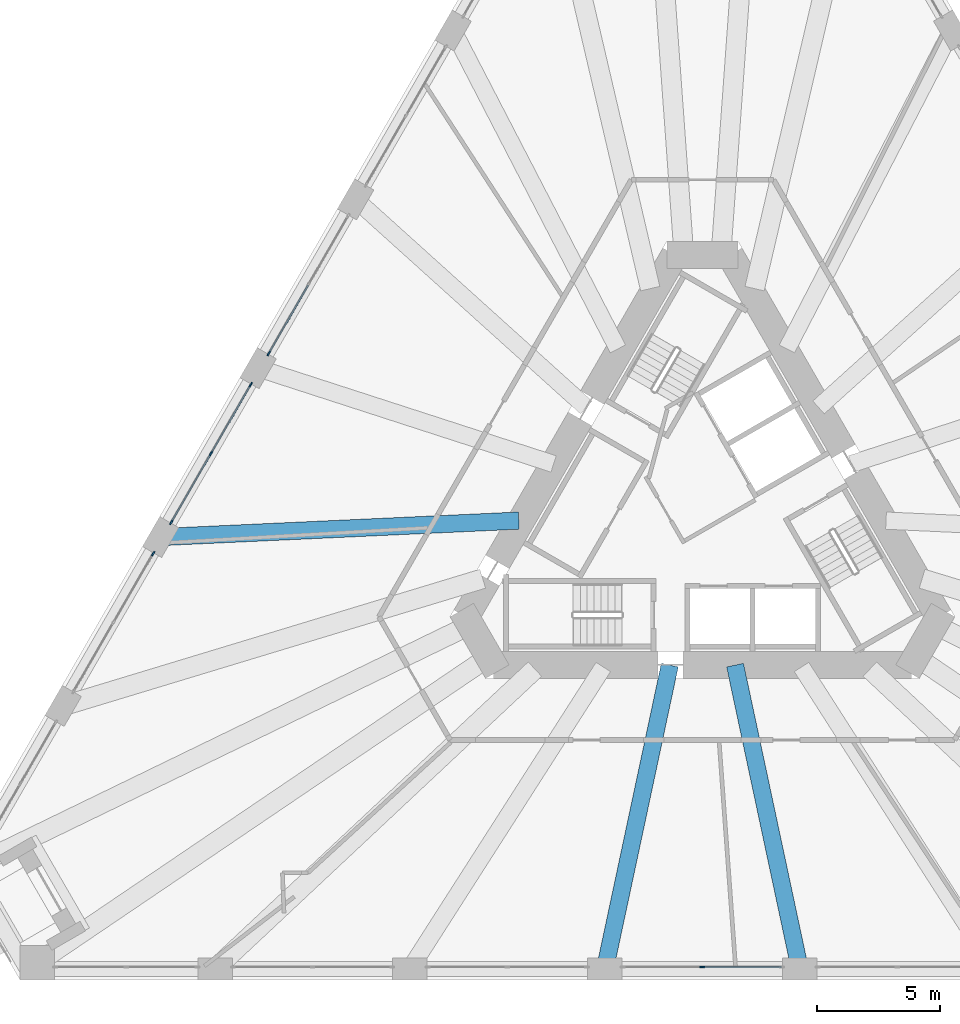
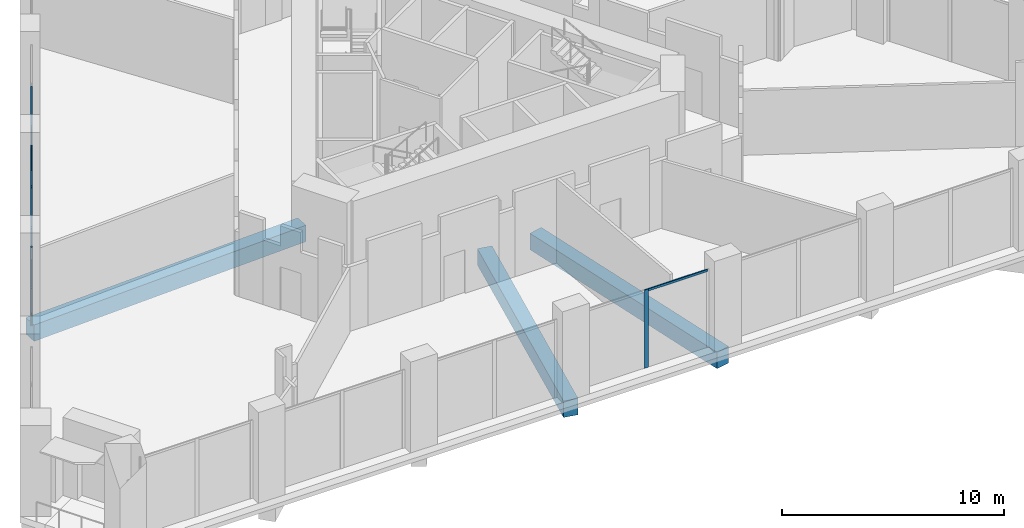
# One storey, part 4 of 20: 10 members, 3 beams, 4 elements without a shape of their own.
"""IFC4 building model written with IfcOpenShell, lengths in metres."""

import ifcopenshell
import ifcopenshell.guid

model = None  # the IFC model being written
_history = None  # IfcOwnerHistory: only IFC2X3 demands one
_inside = {}  # id of a spatial element -> (the spatial element, [elements in it])
_under = {}  # id of a project, library or spatial element -> (it, [spatial elements below it])
_declared = {}  # id of a project -> (the project, [libraries it declares])
_typed = {}  # id of a type object -> (the type object, [elements of that type])
_made_of = {}  # id of a material, layer set ... -> (it, [elements and type objects made of it])


def new_model(schema):
    """Start an empty IFC model of exactly this schema.

    Asked for "IFC4X3", IfcOpenShell would pick the latest addendum, in which some entities
    have other attributes; the version numbers below select the first issue.
    IFC2X3 requires an IfcOwnerHistory on every rooted entity: one is made here for all.
    """
    global model, _history
    if schema == "IFC4X3":
        model = ifcopenshell.file(schema_version=(4, 3, 0, 0))
    else:
        model = ifcopenshell.file(schema=schema)
    _inside.clear()
    _under.clear()
    _declared.clear()
    _typed.clear()
    _made_of.clear()
    _history = None
    if model.schema == "IFC2X3":
        org = make("IfcOrganization", Name="unknown")
        user = make(
            "IfcPersonAndOrganization",
            ThePerson=make("IfcPerson", FamilyName="unknown"),
            TheOrganization=org,
        )
        app = make(
            "IfcApplication",
            ApplicationDeveloper=org,
            Version="unknown",
            ApplicationFullName="unknown",
            ApplicationIdentifier="unknown",
        )
        _history = make(
            "IfcOwnerHistory",
            OwningUser=user,
            OwningApplication=app,
            ChangeAction="ADDED",
            CreationDate=0,
        )
    return model


def make(cls, **values):
    """One entity of the class cls with the attributes given. An attribute that is None is left unset."""
    return model.create_entity(
        cls, **{name: value for name, value in values.items() if value is not None}
    )


def rooted(cls, **values):
    """An entity with a GlobalId (a new one), such as an element, a storey or a relation."""
    return make(cls, GlobalId=ifcopenshell.guid.new(), OwnerHistory=_history, **values)


def si_unit(unit_type, name, prefix=None):
    """IfcSIUnit, for example si_unit("LENGTHUNIT", "METRE", prefix="MILLI")."""
    return make("IfcSIUnit", UnitType=unit_type, Prefix=prefix, Name=name)


def assignment(units):
    """IfcUnitAssignment: the units of a project."""
    return None if units is None else make("IfcUnitAssignment", Units=units)


def point(xyz):
    """IfcCartesianPoint."""
    return None if xyz is None else make("IfcCartesianPoint", Coordinates=xyz)


def direction(xyz):
    """IfcDirection."""
    return None if xyz is None else make("IfcDirection", DirectionRatios=xyz)


def frame(location, z_axis=None, x_axis=None):
    """IfcAxis2Placement3D, a coordinate frame: its origin and axes. An axis left out is left unset."""
    return make(
        "IfcAxis2Placement3D",
        Location=point(location),
        Axis=direction(z_axis),
        RefDirection=direction(x_axis),
    )


def frame_2d(location, x_axis=None):
    """IfcAxis2Placement2D, a coordinate frame in the plane: its origin and x axis."""
    return make(
        "IfcAxis2Placement2D", Location=point(location), RefDirection=direction(x_axis)
    )


def origin():
    """The frame at (0, 0, 0) with its axes left unset."""
    return frame((0.0, 0.0, 0.0))


def origin_2d():
    """The frame at (0, 0) in the plane with its x axis left unset."""
    return frame_2d((0.0, 0.0))


def place(relative_to, where):
    """IfcLocalPlacement: puts the frame where relative to a parent placement (None: the world)."""
    return make(
        "IfcLocalPlacement", PlacementRelTo=relative_to, RelativePlacement=where
    )


def context(
    kind, dimensions, precision=None, world=None, true_north=None, identifier=None
):
    """IfcGeometricRepresentationContext, for example the 3D "Model" context."""
    return make(
        "IfcGeometricRepresentationContext",
        ContextIdentifier=identifier,
        ContextType=kind,
        CoordinateSpaceDimension=dimensions,
        Precision=precision,
        WorldCoordinateSystem=world,
        TrueNorth=true_north,
    )


def subcontext(parent, identifier, kind, view, scale=None):
    """IfcGeometricRepresentationSubContext, for example "Body" below "Model"."""
    return make(
        "IfcGeometricRepresentationSubContext",
        ContextIdentifier=identifier,
        ContextType=kind,
        ParentContext=parent,
        TargetScale=scale,
        TargetView=view,
    )


def project(units=None, contexts=None):
    """IfcProject with its units and contexts."""
    return rooted(
        "IfcProject",
        Name="project",
        RepresentationContexts=contexts,
        UnitsInContext=assignment(units),
    )


def spatial(cls, under=None, at=None, **own):
    """A site, building, storey or space (cls), placed at a placement, below another one or the project."""
    s = rooted(cls, ObjectPlacement=at, **own)
    if under is not None:
        _under.setdefault(under.id(), (under, []))[1].append(s)
    return s


def profile(cls, at=None, kind="AREA", **sizes):
    """A parametric profile (cls). Its sizes go by their IFC names, for example OverallWidth=200.0."""
    return make(cls, ProfileType=kind, Position=at, **sizes)


def rectangle(**sizes):
    """IfcRectangleProfileDef."""
    return profile("IfcRectangleProfileDef", **sizes)


def extrude(swept, where, along, depth):
    """IfcExtrudedAreaSolid: the profile swept, set in the frame where, extruded along a direction by depth."""
    return make(
        "IfcExtrudedAreaSolid",
        SweptArea=swept,
        Position=where,
        ExtrudedDirection=direction(along),
        Depth=depth,
    )


def shape(context_of_items, identifier, shape_type, items):
    """IfcShapeRepresentation: the items that make up one representation, for example the "Body"."""
    return make(
        "IfcShapeRepresentation",
        ContextOfItems=context_of_items,
        RepresentationIdentifier=identifier,
        RepresentationType=shape_type,
        Items=items,
    )


def material(Name=None, Category=None):
    """IfcMaterial."""
    return make("IfcMaterial", Name=Name, Category=Category)


def layer(
    of_material, thickness, ventilated=None, Name=None, Category=None, Priority=None
):
    """IfcMaterialLayer: one layer of a wall or slab, of a material (None: an air gap)."""
    return make(
        "IfcMaterialLayer",
        Material=of_material,
        LayerThickness=thickness,
        IsVentilated=ventilated,
        Name=Name,
        Category=Category,
        Priority=Priority,
    )


def layer_set(layers, Name=None):
    """IfcMaterialLayerSet."""
    return make("IfcMaterialLayerSet", MaterialLayers=layers, LayerSetName=Name)


def material_profile(
    of_material, cross_section, Name=None, Category=None, Priority=None
):
    """IfcMaterialProfile: a cross section and its material."""
    return make(
        "IfcMaterialProfile",
        Name=Name,
        Material=of_material,
        Profile=cross_section,
        Priority=Priority,
        Category=Category,
    )


def profile_set(profiles, Name=None, composite=None):
    """IfcMaterialProfileSet."""
    return make(
        "IfcMaterialProfileSet",
        Name=Name,
        MaterialProfiles=profiles,
        CompositeProfile=composite,
    )


def made_of(thing, what):
    """Note that an element or type object is made of a material, layer set ...; save() writes the relation."""
    if what is not None:
        _made_of.setdefault(what.id(), (what, []))[1].append(thing)
    return thing


def type_object(cls, material=None, **own):
    """A type object (cls), such as IfcWallType, which elements share."""
    return made_of(rooted(cls, **own), material)


def element(
    cls,
    number,
    at=None,
    inside=None,
    cuts=None,
    type_object=None,
    material=None,
    context=None,
    identifier="Body",
    shape_type=None,
    held_by="IfcProductDefinitionShape",
    body=None,
    shapes=None,
    **own,
):
    """One element of the class cls, such as IfcWall. Its Tag is "e" and its number.

    at: its placement. inside: the storey or other place that contains it. cuts: it is an
    opening in that element (IfcRelVoidsElement). A single representation is given by context,
    identifier, shape_type and body (its items); several are given by shapes. held_by: the class
    of the entity that holds the representations. save() writes the other relations.
    """
    e = rooted(cls, Tag="e%d" % number, ObjectPlacement=at, **own)
    if body is not None:
        shapes = [shape(context, identifier, shape_type, body)]
    if shapes is not None:
        e.Representation = make(held_by, Representations=shapes)
    if inside is not None:
        _inside.setdefault(inside.id(), (inside, []))[1].append(e)
    if cuts is not None:
        rooted(
            "IfcRelVoidsElement", RelatingBuildingElement=cuts, RelatedOpeningElement=e
        )
    if type_object is not None:
        _typed.setdefault(type_object.id(), (type_object, []))[1].append(e)
    return made_of(e, material)


def aggregate(whole, parts):
    """IfcRelAggregates: a whole, such as a stair, and the parts it consists of."""
    return rooted("IfcRelAggregates", RelatingObject=whole, RelatedObjects=parts)


def save(model, path):
    """Write the relations noted so far, then the file.

    IfcRelAggregates (storeys below a building ...), IfcRelContainedInSpatialStructure (elements
    in a storey), IfcRelDefinesByType, IfcRelAssociatesMaterial and IfcRelDeclares: one each for
    every whole, place, type object, material and project.
    """
    for whole, parts in _under.values():
        aggregate(whole, parts)
    for where, things in _inside.values():
        rooted(
            "IfcRelContainedInSpatialStructure",
            RelatedElements=things,
            RelatingStructure=where,
        )
    for kind, things in _typed.values():
        rooted("IfcRelDefinesByType", RelatedObjects=things, RelatingType=kind)
    for what, things in _made_of.values():
        rooted("IfcRelAssociatesMaterial", RelatedObjects=things, RelatingMaterial=what)
    for by, libraries in _declared.values():
        rooted("IfcRelDeclares", RelatingContext=by, RelatedDefinitions=libraries)
    model.write(path)


model = new_model("IFC4")

# Units and contexts
model_context = context("Model", 3, precision=1e-05, world=origin(), true_north=direction((0.0, 1.0)))
body_context = subcontext(model_context, "Body", "Model", "MODEL_VIEW")
ifc_project = project(units=[si_unit("LENGTHUNIT", "METRE"), si_unit("AREAUNIT", "SQUARE_METRE"), si_unit("VOLUMEUNIT", "CUBIC_METRE"), si_unit("PLANEANGLEUNIT", "RADIAN"), si_unit("MASSUNIT", "GRAM", prefix="KILO")], contexts=[model_context])

# Site, building, storey
site_placement = place(None, origin())
site = spatial("IfcSite", under=ifc_project, at=site_placement, CompositionType="ELEMENT")
building_placement = place(site_placement, origin())
building = spatial("IfcBuilding", under=site, at=building_placement, Name="Tramontana Tower", CompositionType="ELEMENT")
storey_placement = place(building_placement, frame((0.0, 0.0, 15.0)))
storey = spatial("IfcBuildingStorey", under=building, at=storey_placement, Name="L02", CompositionType="ELEMENT", Elevation=15.0)

# Curtain wall, member
ifc_material_1 = material(Name="Aluminum extrusion", Category="aluminium")
ifc_layer = layer(ifc_material_1, 0.14990234375)
ifc_layer_set = layer_set([ifc_layer], Name="CW2 Podium amenity curtain wall")
curtain_wall_type = type_object("IfcCurtainWallType", Name="CW2 Podium amenity curtain wall", PredefinedType="NOTDEFINED", material=ifc_layer_set)
curtain_wall_1_placement = place(storey_placement, origin())
curtain_wall_1 = element("IfcCurtainWall", 1, at=curtain_wall_1_placement, inside=storey, type_object=curtain_wall_type, Name="CW2 curtain wall L02 face 0 bay 4", PredefinedType="NOTDEFINED")
ifc_material_2 = material(Name="Aluminum extrusion", Category="aluminium")
ifc_material_profile_1 = material_profile(ifc_material_2, rectangle(XDim=0.06005859375, YDim=0.199951171875, at=origin_2d()), Name="CW2-M Mullion 60 x 200")
ifc_profile_set_1 = profile_set([ifc_material_profile_1], Name="Aluminum extrusion")
member_type_1 = type_object("IfcMemberType", Name="CW2-M Mullion 60 x 200", PredefinedType="MULLION", material=ifc_profile_set_1)
member_1_placement = place(storey_placement, frame((-17.6142578125, 6.441162109375, 0.0), z_axis=(0.0, 0.0, 1.0), x_axis=(0.866025403784, -0.5, 0.0)))
member_1 = element("IfcMember", 2, at=member_1_placement, type_object=member_type_1, Name="CW2 curtain wall L02 face 0 bay 4 mullion 3", PredefinedType="MULLION", context=body_context, shape_type="SweptSolid", body=[
    extrude(rectangle(XDim=0.06005859375, YDim=0.199951171875, at=origin_2d()), origin(), (0.0, 0.0, 1.0), 4.300048828125),
])

# Curtain wall, members
curtain_wall_2_placement = place(storey_placement, origin())
curtain_wall_2 = element("IfcCurtainWall", 3, at=curtain_wall_2_placement, inside=storey, type_object=curtain_wall_type, Name="CW2 curtain wall L02 face 0 bay 5", PredefinedType="NOTDEFINED")
member_2_placement = place(storey_placement, frame((-18.34423828125, 5.1767578125, 0.0), z_axis=(0.0, 0.0, 1.0), x_axis=(0.866025403784, -0.5, 0.0)))
member_2 = element("IfcMember", 4, at=member_2_placement, type_object=member_type_1, Name="CW2 curtain wall L02 face 0 bay 5 mullion 1", PredefinedType="MULLION", context=body_context, shape_type="SweptSolid", body=[
    extrude(rectangle(XDim=0.06005859375, YDim=0.199951171875, at=origin_2d()), origin(), (0.0, 0.0, 1.0), 4.300048828125),
])
member_3_placement = place(storey_placement, frame((-19.958740234375, 2.38037109375, 0.0), z_axis=(0.0, 0.0, 1.0), x_axis=(0.866025403784, -0.5, 0.0)))
member_3 = element("IfcMember", 5, at=member_3_placement, type_object=member_type_1, Name="CW2 curtain wall L02 face 0 bay 5 mullion 2", PredefinedType="MULLION", context=body_context, shape_type="SweptSolid", body=[
    extrude(rectangle(XDim=0.06005859375, YDim=0.199951171875, at=origin_2d()), origin(), (0.0, 0.0, 1.0), 4.300048828125),
])
member_4_placement = place(storey_placement, frame((-21.5732421875, -0.416015625, 0.0), z_axis=(0.0, 0.0, 1.0), x_axis=(0.866025403784, -0.5, 0.0)))
member_4 = element("IfcMember", 6, at=member_4_placement, type_object=member_type_1, Name="CW2 curtain wall L02 face 0 bay 5 mullion 3", PredefinedType="MULLION", context=body_context, shape_type="SweptSolid", body=[
    extrude(rectangle(XDim=0.06005859375, YDim=0.199951171875, at=origin_2d()), origin(), (0.0, 0.0, 1.0), 4.300048828125),
])

# Curtain wall, member
curtain_wall_3_placement = place(storey_placement, origin())
curtain_wall_3 = element("IfcCurtainWall", 7, at=curtain_wall_3_placement, inside=storey, type_object=curtain_wall_type, Name="CW2 curtain wall L02 face 0 bay 6", PredefinedType="NOTDEFINED")
member_5_placement = place(storey_placement, frame((-22.30322265625, -1.680419921875, 0.0), z_axis=(0.0, 0.0, 1.0), x_axis=(0.866025403784, -0.5, 0.0)))
member_5 = element("IfcMember", 8, at=member_5_placement, type_object=member_type_1, Name="CW2 curtain wall L02 face 0 bay 6 mullion 1", PredefinedType="MULLION", context=body_context, shape_type="SweptSolid", body=[
    extrude(rectangle(XDim=0.06005859375, YDim=0.199951171875, at=origin_2d()), origin(), (0.0, 0.0, 1.0), 4.300048828125),
])
aggregate(curtain_wall_3, [member_5])

curtain_wall_4_placement = place(storey_placement, origin())
curtain_wall_4 = element("IfcCurtainWall", 9, at=curtain_wall_4_placement, inside=storey, type_object=curtain_wall_type, Name="CW2 curtain wall L02 face 1 bay 4", PredefinedType="NOTDEFINED")
member_6_placement = place(storey_placement, frame((0.0, -18.47509765625, 0.0), z_axis=(0.0, 0.0, 1.0), x_axis=(0.0, 1.0, 0.0)))
member_6 = element("IfcMember", 10, at=member_6_placement, type_object=member_type_1, Name="CW2 curtain wall L02 face 1 bay 4 mullion 2", PredefinedType="MULLION", context=body_context, shape_type="SweptSolid", body=[
    extrude(rectangle(XDim=0.06005859375, YDim=0.199951171875, at=origin_2d()), origin(), (0.0, 0.0, 1.0), 4.300048828125),
])

# Member
ifc_material_3 = material(Name="Aluminum extrusion", Category="aluminium")
ifc_material_profile_2 = material_profile(ifc_material_3, rectangle(XDim=0.06005859375, YDim=0.1201171875, at=origin_2d()), Name="CW2-T Transom 60 x 120")
ifc_profile_set_2 = profile_set([ifc_material_profile_2], Name="Aluminum extrusion")
member_type_2 = type_object("IfcMemberType", Name="CW2-T Transom 60 x 120", PredefinedType="USERDEFINED", material=ifc_profile_set_2)
member_7_placement = place(storey_placement, frame((-16.014892578125, 9.21142578125, 4.239990234375), z_axis=(-0.500000324964, -0.866025216166, 0.0), x_axis=(0.866025216166, -0.500000324964, 0.0)))
member_7 = element("IfcMember", 11, at=member_7_placement, type_object=member_type_2, Name="CW2 curtain wall L02 face 0 bay 4 transom 2.1", ObjectType="TRANSOM", PredefinedType="USERDEFINED", context=body_context, shape_type="SweptSolid", body=[
    extrude(rectangle(XDim=0.06005859375, YDim=0.1201171875, at=origin_2d()), origin(), (0.0, 0.0, 1.0), 3.1689453125),
])

aggregate(curtain_wall_1, [member_1, member_7])

member_8_placement = place(storey_placement, frame((-18.359375, 5.150634765625, 4.239990234375), z_axis=(-0.500000324964, -0.866025216166, 0.0), x_axis=(0.866025216166, -0.500000324964, 0.0)))
member_8 = element("IfcMember", 12, at=member_8_placement, type_object=member_type_2, Name="CW2 curtain wall L02 face 0 bay 5 transom 1.1", ObjectType="TRANSOM", PredefinedType="USERDEFINED", context=body_context, shape_type="SweptSolid", body=[
    extrude(rectangle(XDim=0.06005859375, YDim=0.1201171875, at=origin_2d()), origin(), (0.0, 0.0, 1.0), 3.1689453125),
])

member_9_placement = place(storey_placement, frame((-19.973876953125, 2.3544921875, 4.239990234375), z_axis=(-0.49996696679, -0.866044474677, 0.0), x_axis=(0.866044474677, -0.49996696679, 0.0)))
member_9 = element("IfcMember", 13, at=member_9_placement, type_object=member_type_2, Name="CW2 curtain wall L02 face 0 bay 5 transom 2.1", ObjectType="TRANSOM", PredefinedType="USERDEFINED", context=body_context, shape_type="SweptSolid", body=[
    extrude(rectangle(XDim=0.06005859375, YDim=0.1201171875, at=origin_2d()), origin(), (0.0, 0.0, 1.0), 3.169189453125),
])

aggregate(curtain_wall_2, [member_2, member_3, member_4, member_8, member_9])

member_10_placement = place(storey_placement, frame((0.030029296875, -18.47509765625, 4.239990234375), z_axis=(1.0, 0.0, 0.0), x_axis=(0.0, 1.0, 0.0)))
member_10 = element("IfcMember", 14, at=member_10_placement, type_object=member_type_2, Name="CW2 curtain wall L02 face 1 bay 4 transom 2.1", ObjectType="TRANSOM", PredefinedType="USERDEFINED", context=body_context, shape_type="SweptSolid", body=[
    extrude(rectangle(XDim=0.06005859375, YDim=0.1201171875, at=origin_2d()), origin(), (0.0, 0.0, 1.0), 3.1689453125),
])

aggregate(curtain_wall_4, [member_6, member_10])

# Beams
ifc_material_4 = material(Name="Concrete 40 MPa", Category="concrete")
ifc_material_profile_3 = material_profile(ifc_material_4, rectangle(XDim=0.699951171875, YDim=0.89990234375, at=origin_2d()), Name="RC GIRDER 700X900 40 MPa")
ifc_profile_set_3 = profile_set([ifc_material_profile_3], Name="Concrete 40 MPa")
beam_type = type_object("IfcBeamType", Name="RC GIRDER 700X900 40 MPa", PredefinedType="BEAM", material=ifc_profile_set_3)
beam_placement = place(storey_placement, frame((-22.003173828125, -1.0107421875, -0.800048828125), z_axis=(0.998946541736, 0.045889070085, 0.0), x_axis=(-0.045889070085, 0.998946541736, 0.0)))
element("IfcBeam", 15, at=beam_placement, inside=storey, type_object=beam_type, Name="Radial girder C0F05 L02", PredefinedType="BEAM", context=body_context, shape_type="SweptSolid", body=[
    extrude(rectangle(XDim=0.699951171875, YDim=0.89990234375, at=origin_2d()), origin(), (0.0, 0.0, 1.0), 14.5615234375),
])
for number, where, z_axis, x_axis, name in (
    (16, (-3.958984375, -18.550048828125, -0.800048828125), (0.208730772127, 0.977973141128, 0.0), (-0.977973141128, 0.208730772127, 0.0), "Radial girder C0F09 L02"),
    (17, (3.958984375, -18.550048828125, -0.800048828125), (-0.208730772127, 0.977973141128, 0.0), (-0.977973141128, -0.208730772127, 0.0), "Radial girder C0F10 L02"),
):
    element("IfcBeam", number, at=place(storey_placement, frame(where, z_axis=z_axis, x_axis=x_axis)), inside=storey, type_object=beam_type, Name=name, PredefinedType="BEAM", context=body_context, shape_type="SweptSolid", body=[
        extrude(rectangle(XDim=0.699951171875, YDim=0.89990234375, at=origin_2d()), origin(), (0.0, 0.0, 1.0), 12.61572265625),
    ])

save(model, "model.ifc")
